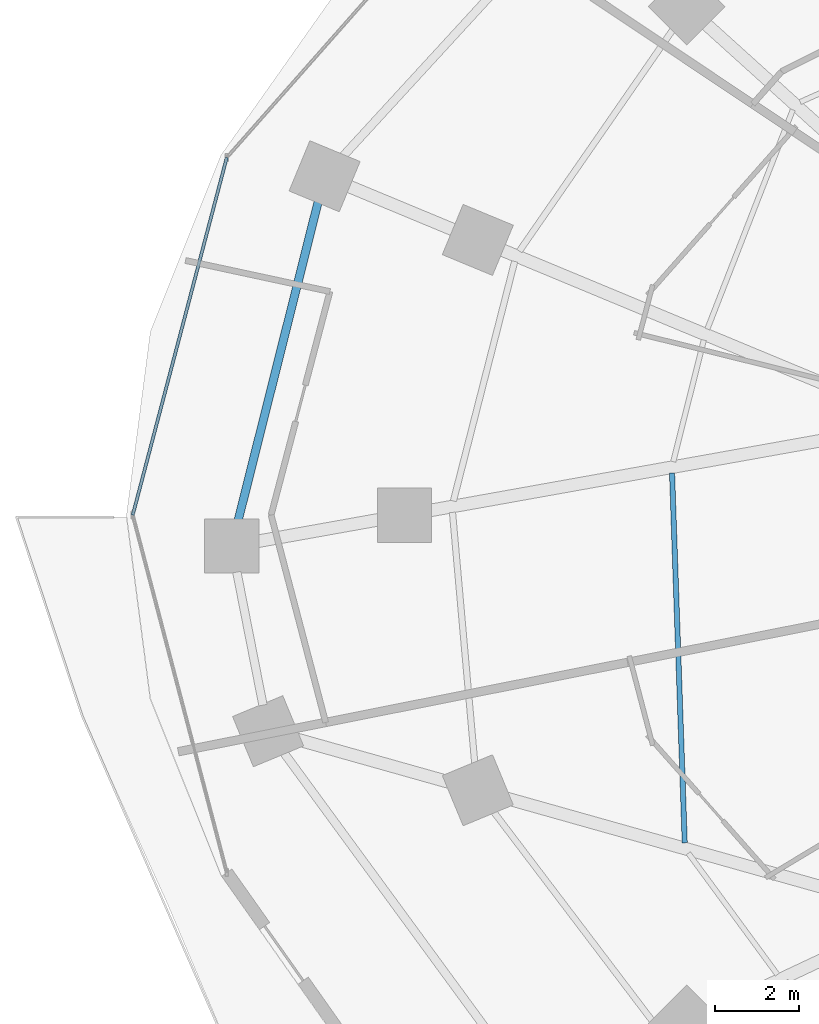
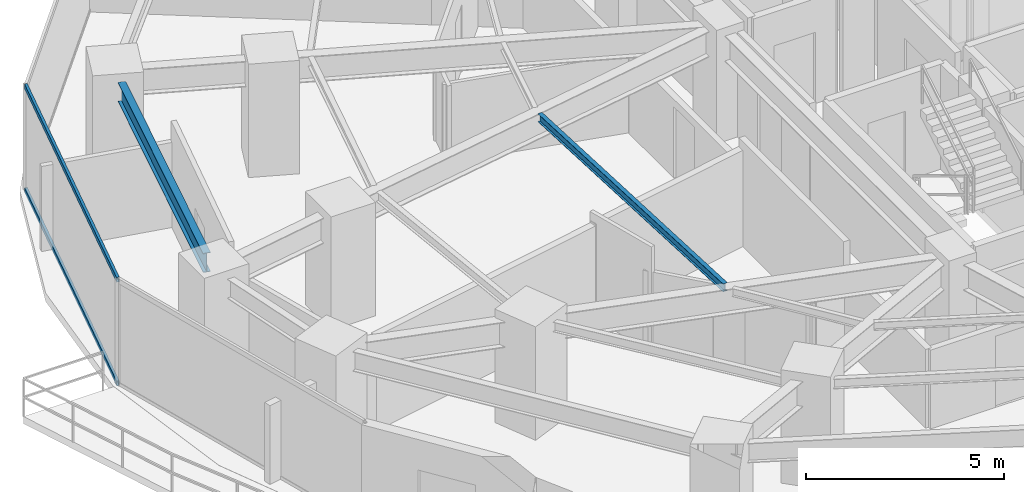
# One storey, part 8 of 33: 2 beams, 2 members, 1 element without a shape of its own.
"""IFC4 building model written with IfcOpenShell, lengths in metres."""

from ifc_helpers import new_model, si_unit, direction, frame, origin, origin_2d, place, context, subcontext, project, spatial, hollow_rectangle, i_section, extrude, material, material_profile, profile_set, type_object, element, aggregate, save


model = new_model("IFC4")

# Units and contexts
model_context = context("Model", 3, precision=1e-05, world=origin(), true_north=direction((0.0, 1.0)))
body_context = subcontext(model_context, "Body", "Model", "MODEL_VIEW")
ifc_project = project(units=[si_unit("LENGTHUNIT", "METRE"), si_unit("AREAUNIT", "SQUARE_METRE"), si_unit("VOLUMEUNIT", "CUBIC_METRE"), si_unit("PLANEANGLEUNIT", "RADIAN"), si_unit("MASSUNIT", "GRAM", prefix="KILO")], contexts=[model_context])

# Site, building, storey
site_placement = place(None, origin())
site = spatial("IfcSite", under=ifc_project, at=site_placement, CompositionType="ELEMENT")
building_placement = place(site_placement, origin())
building = spatial("IfcBuilding", under=site, at=building_placement, Name="Vorneva Point Tower", CompositionType="ELEMENT")
storey_placement = place(building_placement, frame((0.0, 0.0, 34.5)))
storey = spatial("IfcBuildingStorey", under=building, at=storey_placement, Name="L08", CompositionType="ELEMENT", Elevation=34.5)

# Beams
ifc_material_1 = material(Name="Steel S355", Category="steel")
ifc_material_profile_1 = material_profile(ifc_material_1, i_section(OverallWidth=0.1240234375, OverallDepth=0.248046875, WebThickness=0.0048828125, FlangeThickness=0.008056640625, at=origin_2d()), Name="25B1")
ifc_profile_set_1 = profile_set([ifc_material_profile_1], Name="Steel S355")
beam_type_1 = type_object("IfcBeamType", Name="BM-JST-25B1", PredefinedType="JOIST", material=ifc_profile_set_1)
beam_1_placement = place(storey_placement, frame((21.35107421875, 27.006103515625, 3.115966796875), z_axis=(0.034290300596, -0.99941191472, 0.0), x_axis=(0.99941191472, 0.034290300596, 0.0)))
element("IfcBeam", 1, at=beam_1_placement, inside=storey, type_object=beam_type_1, Name="L08 Secondary Floor Beam 2.09", PredefinedType="JOIST", context=body_context, shape_type="SweptSolid", body=[
    extrude(i_section(OverallWidth=0.1240234375, OverallDepth=0.248046875, WebThickness=0.0048828125, FlangeThickness=0.008056640625, at=origin_2d()), origin(), (0.0, 0.0, 1.0), 8.849853515625),
])
ifc_material_profile_2 = material_profile(ifc_material_1, i_section(OverallWidth=0.198974609375, OverallDepth=0.595947265625, WebThickness=0.010009765625, FlangeThickness=0.014892578125, at=origin_2d()), Name="60B1")
ifc_profile_set_2 = profile_set([ifc_material_profile_2], Name="Steel S355")
beam_type_2 = type_object("IfcBeamType", Name="BM-SPN-60B1", PredefinedType="SPANDREL", material=ifc_profile_set_2)
beam_2_placement = place(storey_placement, frame((12.884521484375, 33.489501953125, 2.94189453125), z_axis=(-0.243574722416, -0.969882134385, 0.0), x_axis=(0.969882134385, -0.243574722416, 0.0)))
element("IfcBeam", 2, at=beam_2_placement, inside=storey, type_object=beam_type_2, Name="L08 Perimeter Spandrel Ring Beam 08", PredefinedType="SPANDREL", context=body_context, shape_type="SweptSolid", body=[
    extrude(i_section(OverallWidth=0.198974609375, OverallDepth=0.595947265625, WebThickness=0.010009765625, FlangeThickness=0.014892578125, at=origin_2d()), origin(), (0.0, 0.0, 1.0), 7.84912109375),
])

# Curtain wall, members
ifc_material_2 = material(Name="Pale anodised aluminium", Category="aluminium")
curtain_wall_type = type_object("IfcCurtainWallType", Name="CW-HTL-SYS", PredefinedType="NOTDEFINED", material=ifc_material_2)
curtain_wall_placement = place(storey_placement, origin())
curtain_wall = element("IfcCurtainWall", 3, at=curtain_wall_placement, inside=storey, type_object=curtain_wall_type, Name="L08 Unitised Curtain Wall CW-L08-R03", PredefinedType="NOTDEFINED")
ifc_material_profile_3 = material_profile(ifc_material_2, hollow_rectangle(XDim=0.074951171875, YDim=0.14990234375, WallThickness=0.00390625, at=origin_2d()), Name="AL-TRN 150x75x4")
ifc_profile_set_3 = profile_set([ifc_material_profile_3], Name="Pale anodised aluminium")
member_type = type_object("IfcMemberType", Name="CW-TRN-150", PredefinedType="USERDEFINED", material=ifc_profile_set_3)
member_1_placement = place(storey_placement, frame((10.699462890625, 34.552978515625, 0.02001953125), z_axis=(-0.254358772746, -0.967109928978, 0.0), x_axis=(0.967109928978, -0.254358772746, 0.0)))
member_1 = element("IfcMember", 4, at=member_1_placement, type_object=member_type, Name="CW-L08-R03 Transom 02.1", ObjectType="TRANSOM", PredefinedType="USERDEFINED", context=body_context, shape_type="SweptSolid", body=[
    extrude(hollow_rectangle(XDim=0.074951171875, YDim=0.14990234375, WallThickness=0.00390625, at=origin_2d()), origin(), (0.0, 0.0, 1.0), 8.84375),
])
member_2_placement = place(storey_placement, frame((10.699462890625, 34.552978515625, 3.219970703125), z_axis=(-0.254358772746, -0.967109928978, 0.0), x_axis=(0.967109928978, -0.254358772746, 0.0)))
member_2 = element("IfcMember", 5, at=member_2_placement, type_object=member_type, Name="CW-L08-R03 Transom 02.2", ObjectType="TRANSOM", PredefinedType="USERDEFINED", context=body_context, shape_type="SweptSolid", body=[
    extrude(hollow_rectangle(XDim=0.074951171875, YDim=0.14990234375, WallThickness=0.00390625, at=origin_2d()), origin(), (0.0, 0.0, 1.0), 8.84375),
])
aggregate(curtain_wall, [member_1, member_2])

save(model, "model.ifc")
